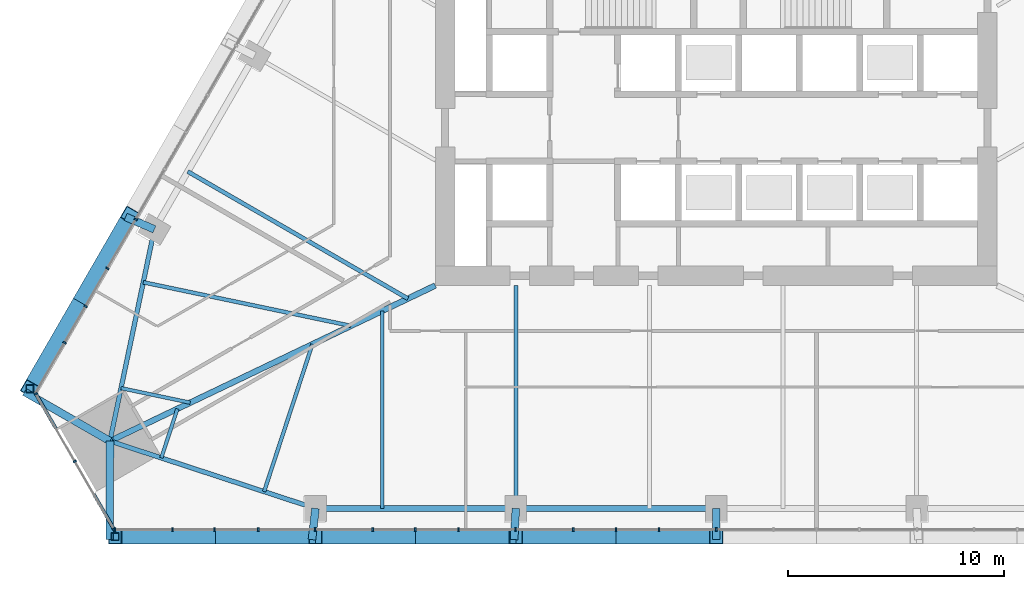
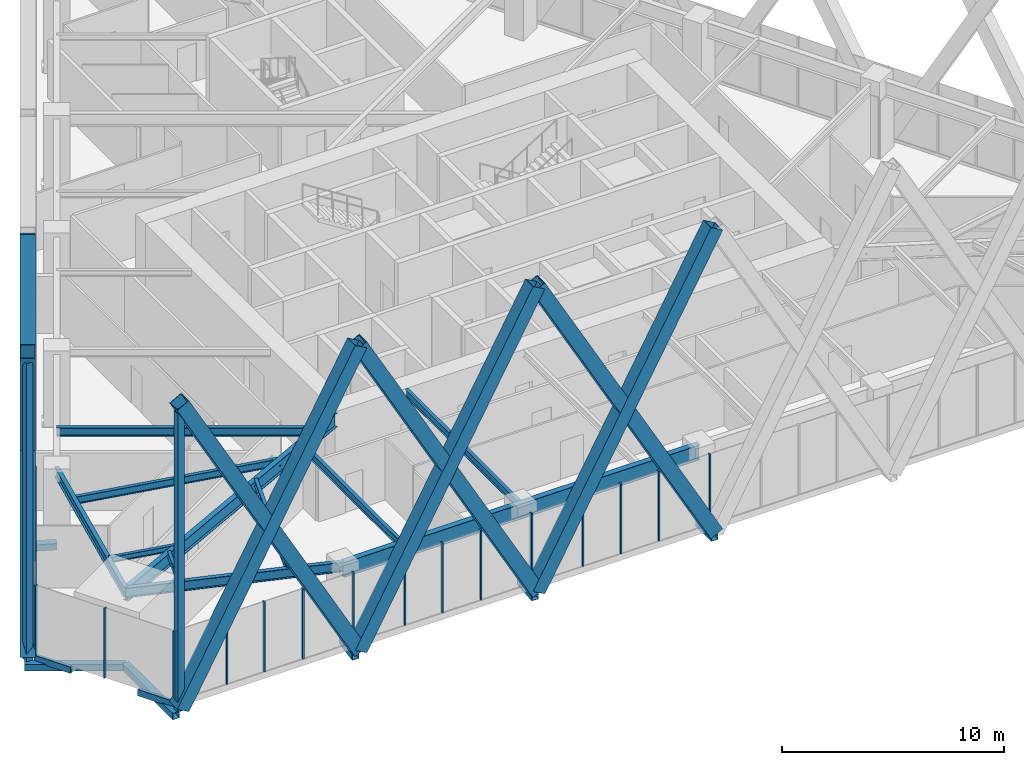
# One storey, part 2 of 19: 38 members, 11 beams, 3 elements without a shape of their own.
"""IFC4 building model written with IfcOpenShell, lengths in metres."""

from ifc_helpers import new_model, si_unit, direction, frame, origin, origin_2d, place, context, subcontext, project, spatial, rectangle, hollow_rectangle, i_section, extrude, material, layer, layer_set, material_profile, profile_set, type_object, element, aggregate, save


model = new_model("IFC4")

# Units and contexts
model_context = context("Model", 3, precision=1e-05, world=origin(), true_north=direction((0.0, 1.0)))
body_context = subcontext(model_context, "Body", "Model", "MODEL_VIEW")
ifc_project = project(units=[si_unit("LENGTHUNIT", "METRE"), si_unit("AREAUNIT", "SQUARE_METRE"), si_unit("VOLUMEUNIT", "CUBIC_METRE"), si_unit("PLANEANGLEUNIT", "RADIAN"), si_unit("MASSUNIT", "GRAM", prefix="KILO")], contexts=[model_context])

# Site, building, storey
site_placement = place(None, origin())
site = spatial("IfcSite", under=ifc_project, at=site_placement, CompositionType="ELEMENT")
building_placement = place(site_placement, origin())
building = spatial("IfcBuilding", under=site, at=building_placement, Name="Firuza Gate Tower and Library", CompositionType="ELEMENT")
storey_placement = place(building_placement, frame((0.0, 0.0, 124.0)))
storey = spatial("IfcBuildingStorey", under=building, at=storey_placement, Name="L28", CompositionType="ELEMENT", Elevation=124.0)

# Members
ifc_material_1 = material(Name="Steel S355", Category="steel")
ifc_material_profile_1 = material_profile(ifc_material_1, hollow_rectangle(XDim=0.699951171875, YDim=0.699951171875, WallThickness=0.030029296875, at=origin_2d()))
ifc_profile_set_1 = profile_set([ifc_material_profile_1], Name="Steel S355")
member_type_1 = type_object("IfcMemberType", Name="BU700x700x30 Lattice brace", PredefinedType="BRACE", material=ifc_profile_set_1)
for number, where, z_axis, x_axis, name in (
    (1, (47.18310546875, 54.383056640625, 0.0), (0.483206156432, 0.0, 0.875506602137), (0.0, 1.0, 0.0), "Lattice brace S 6.1R"),
    (2, (56.455322265625, 54.383056640625, 0.0), (-0.483206156432, 0.0, 0.875506602137), (0.0, -1.0, 0.0), "Lattice brace S 6.1L"),
    (3, (56.455322265625, 54.383056640625, 0.0), (0.483215908659, 0.0, 0.875501219656), (0.0, 1.0, 0.0), "Lattice brace S 6.2R"),
    (4, (65.727783203125, 54.383056640625, 0.0), (-0.483215908659, 0.0, 0.875501219656), (0.0, -1.0, 0.0), "Lattice brace S 6.2L"),
    (5, (65.727783203125, 54.383056640625, 0.0), (0.483206156432, 0.0, 0.875506602137), (0.0, 1.0, 0.0), "Lattice brace S 6.3R"),
    (6, (75.0, 54.383056640625, 0.0), (-0.483206156432, 0.0, 0.875506602137), (0.0, -1.0, 0.0), "Lattice brace S 6.3L"),
    (7, (47.872802734375, 69.24853515625, 0.0), (-0.241596803526, -0.418471771276, 0.875506916689), (0.866032560393, -0.499987604186, 0.0), "Lattice brace W 6.6R"),
    (8, (43.23681640625, 61.218505859375, 0.0), (0.241596803526, 0.418471771276, 0.875506916689), (-0.866032560393, 0.499987604186, 0.0), "Lattice brace W 6.6L"),
):
    element("IfcMember", number, at=place(storey_placement, frame(where, z_axis=z_axis, x_axis=x_axis)), inside=storey, type_object=member_type_1, Name=name, PredefinedType="BRACE", context=body_context, shape_type="SweptSolid", body=[
        extrude(hollow_rectangle(XDim=0.699951171875, YDim=0.699951171875, WallThickness=0.030029296875, at=origin_2d()), origin(), (0.0, 0.0, 1.0), 19.18896484375),
    ])

# Curtain wall, members
ifc_material_2 = material(Name="Aluminium 6063-T6", Category="aluminium")
ifc_layer_1 = layer(ifc_material_2, 0.14990234375)
ifc_layer_set_1 = layer_set([ifc_layer_1], Name="Unitised curtain wall, offices")
curtain_wall_type_1 = type_object("IfcCurtainWallType", Name="Unitised curtain wall, offices", PredefinedType="NOTDEFINED", material=ifc_layer_set_1)
placement = place(storey_placement, origin())
curtain_wall_1 = element("IfcCurtainWall", 9, at=placement, inside=storey, type_object=curtain_wall_type_1, Name="CW1 L28 S face", PredefinedType="NOTDEFINED")
ifc_material_3 = material(Name="Aluminium 6063-T6", Category="aluminium")
ifc_material_profile_2 = material_profile(ifc_material_3, rectangle(XDim=0.14990234375, YDim=0.080078125, at=origin_2d()))
ifc_profile_set_2 = profile_set([ifc_material_profile_2], Name="Aluminium 6063-T6")
member_type_2 = type_object("IfcMemberType", Name="Curtain wall mullion 80x150", PredefinedType="MULLION", material=ifc_profile_set_2)
member_1_placement = place(storey_placement, frame((47.179931640625, 54.7080078125, 0.14990234375), z_axis=(0.0, 0.0, 1.0), x_axis=(0.0, 1.0, 0.0)))
member_1 = element("IfcMember", 10, at=member_1_placement, type_object=member_type_2, Name="Mullion", PredefinedType="MULLION", context=body_context, shape_type="SweptSolid", body=[
    extrude(rectangle(XDim=0.14990234375, YDim=0.080078125, at=origin_2d()), origin(), (0.0, 0.0, 1.0), 3.85009765625),
])
member_2_placement = place(storey_placement, frame((51.783203125, 54.7080078125, 0.14990234375), z_axis=(0.0, 0.0, 1.0), x_axis=(0.0, 1.0, 0.0)))
member_2 = element("IfcMember", 11, at=member_2_placement, type_object=member_type_2, Name="Mullion", PredefinedType="MULLION", context=body_context, shape_type="SweptSolid", body=[
    extrude(rectangle(XDim=0.14990234375, YDim=0.080078125, at=origin_2d()), origin(), (0.0, 0.0, 1.0), 3.85009765625),
])
member_3_placement = place(storey_placement, frame((56.426513671875, 54.7080078125, 0.14990234375), z_axis=(0.0, 0.0, 1.0), x_axis=(0.0, 1.0, 0.0)))
member_3 = element("IfcMember", 12, at=member_3_placement, type_object=member_type_2, Name="Mullion", PredefinedType="MULLION", context=body_context, shape_type="SweptSolid", body=[
    extrude(rectangle(XDim=0.14990234375, YDim=0.080078125, at=origin_2d()), origin(), (0.0, 0.0, 1.0), 3.85009765625),
])
member_4_placement = place(storey_placement, frame((61.06982421875, 54.7080078125, 0.14990234375), z_axis=(0.0, 0.0, 1.0), x_axis=(0.0, 1.0, 0.0)))
member_4 = element("IfcMember", 13, at=member_4_placement, type_object=member_type_2, Name="Mullion", PredefinedType="MULLION", context=body_context, shape_type="SweptSolid", body=[
    extrude(rectangle(XDim=0.14990234375, YDim=0.080078125, at=origin_2d()), origin(), (0.0, 0.0, 1.0), 3.85009765625),
])
member_5_placement = place(storey_placement, frame((65.71337890625, 54.7080078125, 0.14990234375), z_axis=(0.0, 0.0, 1.0), x_axis=(0.0, 1.0, 0.0)))
member_5 = element("IfcMember", 14, at=member_5_placement, type_object=member_type_2, Name="Mullion", PredefinedType="MULLION", context=body_context, shape_type="SweptSolid", body=[
    extrude(rectangle(XDim=0.14990234375, YDim=0.080078125, at=origin_2d()), origin(), (0.0, 0.0, 1.0), 3.85009765625),
])
member_6_placement = place(storey_placement, frame((70.356689453125, 54.7080078125, 0.14990234375), z_axis=(0.0, 0.0, 1.0), x_axis=(0.0, 1.0, 0.0)))
member_6 = element("IfcMember", 15, at=member_6_placement, type_object=member_type_2, Name="Mullion", PredefinedType="MULLION", context=body_context, shape_type="SweptSolid", body=[
    extrude(rectangle(XDim=0.14990234375, YDim=0.080078125, at=origin_2d()), origin(), (0.0, 0.0, 1.0), 3.85009765625),
])
member_7_placement = place(storey_placement, frame((75.0, 54.7080078125, 0.14990234375), z_axis=(0.0, 0.0, 1.0), x_axis=(0.0, 1.0, 0.0)))
member_7 = element("IfcMember", 16, at=member_7_placement, type_object=member_type_2, Name="Mullion", PredefinedType="MULLION", context=body_context, shape_type="SweptSolid", body=[
    extrude(rectangle(XDim=0.14990234375, YDim=0.080078125, at=origin_2d()), origin(), (0.0, 0.0, 1.0), 3.85009765625),
])
member_8_placement = place(storey_placement, frame((49.835693359375, 54.7080078125, 0.14990234375), z_axis=(0.0, 0.0, 1.0), x_axis=(0.0, 1.0, 0.0)))
member_8 = element("IfcMember", 17, at=member_8_placement, type_object=member_type_2, Name="Mullion", PredefinedType="MULLION", context=body_context, shape_type="SweptSolid", body=[
    extrude(rectangle(XDim=0.14990234375, YDim=0.080078125, at=origin_2d()), origin(), (0.0, 0.0, 1.0), 3.85009765625),
])
member_9_placement = place(storey_placement, frame((53.802978515625, 54.7080078125, 0.14990234375), z_axis=(0.0, 0.0, 1.0), x_axis=(0.0, 1.0, 0.0)))
member_9 = element("IfcMember", 18, at=member_9_placement, type_object=member_type_2, Name="Mullion", PredefinedType="MULLION", context=body_context, shape_type="SweptSolid", body=[
    extrude(rectangle(XDim=0.14990234375, YDim=0.080078125, at=origin_2d()), origin(), (0.0, 0.0, 1.0), 3.85009765625),
])
member_10_placement = place(storey_placement, frame((59.10791015625, 54.7080078125, 0.14990234375), z_axis=(0.0, 0.0, 1.0), x_axis=(0.0, 1.0, 0.0)))
member_10 = element("IfcMember", 19, at=member_10_placement, type_object=member_type_2, Name="Mullion", PredefinedType="MULLION", context=body_context, shape_type="SweptSolid", body=[
    extrude(rectangle(XDim=0.14990234375, YDim=0.080078125, at=origin_2d()), origin(), (0.0, 0.0, 1.0), 3.85009765625),
])
member_11_placement = place(storey_placement, frame((63.0751953125, 54.7080078125, 0.14990234375), z_axis=(0.0, 0.0, 1.0), x_axis=(0.0, 1.0, 0.0)))
member_11 = element("IfcMember", 20, at=member_11_placement, type_object=member_type_2, Name="Mullion", PredefinedType="MULLION", context=body_context, shape_type="SweptSolid", body=[
    extrude(rectangle(XDim=0.14990234375, YDim=0.080078125, at=origin_2d()), origin(), (0.0, 0.0, 1.0), 3.85009765625),
])
member_12_placement = place(storey_placement, frame((68.380126953125, 54.7080078125, 0.14990234375), z_axis=(0.0, 0.0, 1.0), x_axis=(0.0, 1.0, 0.0)))
member_12 = element("IfcMember", 21, at=member_12_placement, type_object=member_type_2, Name="Mullion", PredefinedType="MULLION", context=body_context, shape_type="SweptSolid", body=[
    extrude(rectangle(XDim=0.14990234375, YDim=0.080078125, at=origin_2d()), origin(), (0.0, 0.0, 1.0), 3.85009765625),
])
member_13_placement = place(storey_placement, frame((72.34765625, 54.7080078125, 0.14990234375), z_axis=(0.0, 0.0, 1.0), x_axis=(0.0, 1.0, 0.0)))
member_13 = element("IfcMember", 22, at=member_13_placement, type_object=member_type_2, Name="Mullion", PredefinedType="MULLION", context=body_context, shape_type="SweptSolid", body=[
    extrude(rectangle(XDim=0.14990234375, YDim=0.080078125, at=origin_2d()), origin(), (0.0, 0.0, 1.0), 3.85009765625),
])
aggregate(curtain_wall_1, [member_1, member_2, member_3, member_4, member_5, member_6, member_7, member_8, member_9, member_10, member_11, member_12, member_13])

curtain_wall_2 = element("IfcCurtainWall", 23, at=placement, inside=storey, type_object=curtain_wall_type_1, Name="CW1 L28 W face", PredefinedType="NOTDEFINED")
member_14_placement = place(storey_placement, frame((48.139892578125, 69.06103515625, 0.14990234375), z_axis=(0.0, 0.0, 1.0), x_axis=(0.866025403784, -0.5, 0.0)))
member_14 = element("IfcMember", 24, at=member_14_placement, type_object=member_type_2, Name="Mullion", PredefinedType="MULLION", context=body_context, shape_type="SweptSolid", body=[
    extrude(rectangle(XDim=0.14990234375, YDim=0.080078125, at=origin_2d()), origin(), (0.0, 0.0, 1.0), 3.85009765625),
])
member_15_placement = place(storey_placement, frame((45.818115234375, 65.03955078125, 0.14990234375), z_axis=(0.0, 0.0, 1.0), x_axis=(0.866025403784, -0.5, 0.0)))
member_15 = element("IfcMember", 25, at=member_15_placement, type_object=member_type_2, Name="Mullion", PredefinedType="MULLION", context=body_context, shape_type="SweptSolid", body=[
    extrude(rectangle(XDim=0.14990234375, YDim=0.080078125, at=origin_2d()), origin(), (0.0, 0.0, 1.0), 3.85009765625),
])
member_16_placement = place(storey_placement, frame((46.828125, 66.788818359375, 0.14990234375), z_axis=(0.0, 0.0, 1.0), x_axis=(0.866025403784, -0.5, 0.0)))
member_16 = element("IfcMember", 26, at=member_16_placement, type_object=member_type_2, Name="Mullion", PredefinedType="MULLION", context=body_context, shape_type="SweptSolid", body=[
    extrude(rectangle(XDim=0.14990234375, YDim=0.080078125, at=origin_2d()), origin(), (0.0, 0.0, 1.0), 3.85009765625),
])
member_17_placement = place(storey_placement, frame((44.844482421875, 63.35302734375, 0.14990234375), z_axis=(0.0, 0.0, 1.0), x_axis=(0.866025403784, -0.5, 0.0)))
member_17 = element("IfcMember", 27, at=member_17_placement, type_object=member_type_2, Name="Mullion", PredefinedType="MULLION", context=body_context, shape_type="SweptSolid", body=[
    extrude(rectangle(XDim=0.14990234375, YDim=0.080078125, at=origin_2d()), origin(), (0.0, 0.0, 1.0), 3.85009765625),
])
aggregate(curtain_wall_2, [member_14, member_15, member_16, member_17])

ifc_material_4 = material(Name="Aluminium 6063-T6", Category="aluminium")
ifc_layer_2 = layer(ifc_material_4, 0.14990234375)
ifc_layer_set_2 = layer_set([ifc_layer_2], Name="Corner curtain wall, chamfers")
curtain_wall_type_2 = type_object("IfcCurtainWallType", Name="Corner curtain wall, chamfers", PredefinedType="NOTDEFINED", material=ifc_layer_set_2)
curtain_wall_3 = element("IfcCurtainWall", 28, at=placement, inside=storey, type_object=curtain_wall_type_2, Name="CW4 L28 SW corner", PredefinedType="NOTDEFINED")
member_18_placement = place(storey_placement, frame((43.5166015625, 60.983642578125, 0.14990234375), z_axis=(0.0, 0.0, 1.0), x_axis=(0.866025403784, 0.5, 0.0)))
member_18 = element("IfcMember", 29, at=member_18_placement, type_object=member_type_2, Name="Mullion", PredefinedType="MULLION", context=body_context, shape_type="SweptSolid", body=[
    extrude(rectangle(XDim=0.14990234375, YDim=0.080078125, at=origin_2d()), origin(), (0.0, 0.0, 1.0), 3.85009765625),
])
member_19_placement = place(storey_placement, frame((45.318115234375, 57.86328125, 0.14990234375), z_axis=(0.0, 0.0, 1.0), x_axis=(0.866025403784, 0.5, 0.0)))
member_19 = element("IfcMember", 30, at=member_19_placement, type_object=member_type_2, Name="Mullion", PredefinedType="MULLION", context=body_context, shape_type="SweptSolid", body=[
    extrude(rectangle(XDim=0.14990234375, YDim=0.080078125, at=origin_2d()), origin(), (0.0, 0.0, 1.0), 3.85009765625),
])
member_20_placement = place(storey_placement, frame((47.119873046875, 54.74267578125, 0.14990234375), z_axis=(0.0, 0.0, 1.0), x_axis=(0.866025403784, 0.5, 0.0)))
member_20 = element("IfcMember", 31, at=member_20_placement, type_object=member_type_2, Name="Mullion", PredefinedType="MULLION", context=body_context, shape_type="SweptSolid", body=[
    extrude(rectangle(XDim=0.14990234375, YDim=0.080078125, at=origin_2d()), origin(), (0.0, 0.0, 1.0), 3.85009765625),
])
ifc_material_5 = material(Name="Aluminium 6063-T6", Category="aluminium")
ifc_material_profile_3 = material_profile(ifc_material_5, rectangle(XDim=0.14990234375, YDim=0.35009765625, at=origin_2d()))
ifc_profile_set_3 = profile_set([ifc_material_profile_3], Name="Aluminium 6063-T6")
member_type_3 = type_object("IfcMemberType", Name="Curtain wall transom 350x150", PredefinedType="USERDEFINED", material=ifc_profile_set_3)
member_21_placement = place(storey_placement, frame((43.49658203125, 61.018310546875, -0.02490234375), z_axis=(0.499983064336, -0.866035181374, 0.0), x_axis=(0.866035181374, 0.499983064336, 0.0)))
member_21 = element("IfcMember", 32, at=member_21_placement, type_object=member_type_3, Name="Transom", ObjectType="TRANSOM", PredefinedType="USERDEFINED", context=body_context, shape_type="SweptSolid", body=[
    extrude(rectangle(XDim=0.14990234375, YDim=0.35009765625, at=origin_2d()), origin(), (0.0, 0.0, 1.0), 1.89208984375),
])
member_22_placement = place(storey_placement, frame((46.19384765625, 56.3466796875, -0.02490234375), z_axis=(0.499983064336, -0.866035181374, 0.0), x_axis=(0.866035181374, 0.499983064336, 0.0)))
member_22 = element("IfcMember", 33, at=member_22_placement, type_object=member_type_3, Name="Transom", ObjectType="TRANSOM", PredefinedType="USERDEFINED", context=body_context, shape_type="SweptSolid", body=[
    extrude(rectangle(XDim=0.14990234375, YDim=0.35009765625, at=origin_2d()), origin(), (0.0, 0.0, 1.0), 1.89208984375),
])
aggregate(curtain_wall_3, [member_18, member_19, member_20, member_21, member_22])

# Members
ifc_material_6 = material(Name="Steel S355", Category="steel")
ifc_material_profile_4 = material_profile(ifc_material_6, hollow_rectangle(XDim=0.355712890625, YDim=0.355712890625, WallThickness=0.014892578125, at=origin_2d()))
ifc_profile_set_4 = profile_set([ifc_material_profile_4], Name="Steel S355")
member_type_4 = type_object("IfcMemberType", Name="HSS356x356x16 Lattice corner stile", PredefinedType="BRACE", material=ifc_profile_set_4)
for number, where, z_axis, x_axis, name in (
    (34, (47.18310546875, 54.383056640625, -0.139892578125), (0.0, 0.0, 1.0), (1.0, 0.0, 0.0), "Lattice corner stile S 6.A"),
    (35, (43.23681640625, 61.218505859375, -0.139892578125), (0.0, 0.0, 1.0), (1.0, 0.0, 0.0), "Lattice corner stile W 6.B"),
):
    element("IfcMember", number, at=place(storey_placement, frame(where, z_axis=z_axis, x_axis=x_axis)), inside=storey, type_object=member_type_4, Name=name, PredefinedType="BRACE", context=body_context, shape_type="SweptSolid", body=[
        extrude(hollow_rectangle(XDim=0.355712890625, YDim=0.355712890625, WallThickness=0.014892578125, at=origin_2d()), origin(), (0.0, 0.0, 1.0), 16.43994140625),
    ])
ifc_material_7 = material(Name="Steel S355", Category="steel")
ifc_material_profile_5 = material_profile(ifc_material_7, hollow_rectangle(XDim=0.355712890625, YDim=0.355712890625, WallThickness=0.014892578125, at=origin_2d()))
ifc_profile_set_5 = profile_set([ifc_material_profile_5], Name="Steel S355")
member_type_5 = type_object("IfcMemberType", Name="HSS356x356x16 Lattice node tie", PredefinedType="BRACE", material=ifc_profile_set_5)
member_23_placement = place(storey_placement, frame((46.94189453125, 58.80078125, -0.320068359375), z_axis=(-0.001017347942, -0.999999482501, 0.0), x_axis=(0.999999482501, -0.001017347942, 0.0)))
element("IfcMember", 36, at=member_23_placement, inside=storey, type_object=member_type_5, Name="Lattice node tie S L28 113", PredefinedType="BRACE", context=body_context, shape_type="SweptSolid", body=[
    extrude(hollow_rectangle(XDim=0.355712890625, YDim=0.355712890625, WallThickness=0.014892578125, at=origin_2d()), origin(), (0.0, 0.0, 1.0), 4.5595703125),
])
member_24_placement = place(storey_placement, frame((56.455322265625, 55.68310546875, -0.320068359375), z_axis=(-0.112887039074, -0.993607828275, 0.0), x_axis=(0.993607828275, -0.112887039074, 0.0)))
element("IfcMember", 37, at=member_24_placement, inside=storey, type_object=member_type_5, Name="Lattice node tie S L28 114", PredefinedType="BRACE", context=body_context, shape_type="SweptSolid", body=[
    extrude(hollow_rectangle(XDim=0.355712890625, YDim=0.355712890625, WallThickness=0.014892578125, at=origin_2d()), origin(), (0.0, 0.0, 1.0), 1.451171875),
])
member_25_placement = place(storey_placement, frame((65.727783203125, 55.68310546875, -0.320068359375), z_axis=(-0.056799452131, -0.998385607988, 0.0), x_axis=(0.998385607988, -0.056799452131, 0.0)))
element("IfcMember", 38, at=member_25_placement, inside=storey, type_object=member_type_5, Name="Lattice node tie S L28 115", PredefinedType="BRACE", context=body_context, shape_type="SweptSolid", body=[
    extrude(hollow_rectangle(XDim=0.355712890625, YDim=0.355712890625, WallThickness=0.014892578125, at=origin_2d()), origin(), (0.0, 0.0, 1.0), 1.4443359375),
])
member_26_placement = place(storey_placement, frame((75.0, 55.68310546875, -0.320068359375), z_axis=(0.0, -1.0, 0.0), x_axis=(1.0, 0.0, 0.0)))
element("IfcMember", 39, at=member_26_placement, inside=storey, type_object=member_type_5, Name="Lattice node tie S L28 116", PredefinedType="BRACE", context=body_context, shape_type="SweptSolid", body=[
    extrude(hollow_rectangle(XDim=0.355712890625, YDim=0.355712890625, WallThickness=0.014892578125, at=origin_2d()), origin(), (0.0, 0.0, 1.0), 1.44189453125),
])
member_27_placement = place(storey_placement, frame((46.94189453125, 58.80078125, -0.320068359375), z_axis=(-0.866541054848, 0.49910580067, 0.0), x_axis=(-0.49910580067, -0.866541054848, 0.0)))
element("IfcMember", 40, at=member_27_placement, inside=storey, type_object=member_type_5, Name="Lattice node tie W L28 120", PredefinedType="BRACE", context=body_context, shape_type="SweptSolid", body=[
    extrude(hollow_rectangle(XDim=0.355712890625, YDim=0.355712890625, WallThickness=0.014892578125, at=origin_2d()), origin(), (0.0, 0.0, 1.0), 4.559326171875),
])
member_28_placement = place(storey_placement, frame((48.998779296875, 68.598388671875, -0.320068359375), z_axis=(-0.916946992743, 0.399009038119, 0.0), x_axis=(-0.399009038119, -0.916946992743, 0.0)))
element("IfcMember", 41, at=member_28_placement, inside=storey, type_object=member_type_5, Name="Lattice node tie W L28 121", PredefinedType="BRACE", context=body_context, shape_type="SweptSolid", body=[
    extrude(hollow_rectangle(XDim=0.355712890625, YDim=0.355712890625, WallThickness=0.014892578125, at=origin_2d()), origin(), (0.0, 0.0, 1.0), 1.451416015625),
])

# Beams
ifc_material_8 = material(Name="Steel S355", Category="steel")
ifc_material_profile_6 = material_profile(ifc_material_8, i_section(OverallWidth=0.1650390625, OverallDepth=0.31005859375, WebThickness=0.005859375, FlangeThickness=0.009765625, at=origin_2d()))
ifc_profile_set_6 = profile_set([ifc_material_profile_6], Name="Steel S355")
beam_type_1 = type_object("IfcBeamType", Name="W310x39 Floor beam", PredefinedType="JOIST", material=ifc_profile_set_6)
beam_1_placement = place(storey_placement, frame((47.4560546875, 61.250244140625, 3.844970703125), z_axis=(0.978668348175, -0.2054464998, 0.0), x_axis=(0.2054464998, 0.978668348175, 0.0)))
element("IfcBeam", 42, at=beam_1_placement, inside=storey, type_object=beam_type_1, Name="Floor beam L28 s01", PredefinedType="JOIST", context=body_context, shape_type="SweptSolid", body=[
    extrude(i_section(OverallWidth=0.1650390625, OverallDepth=0.31005859375, WebThickness=0.005859375, FlangeThickness=0.009765625, at=origin_2d()), origin(), (0.0, 0.0, 1.0), 3.272705078125),
])
beam_2_placement = place(storey_placement, frame((49.3203125, 58.021240234375, 3.844970703125), z_axis=(0.311446407366, 0.950263718837, 0.0), x_axis=(-0.950263718837, 0.311446407366, 0.0)))
element("IfcBeam", 43, at=beam_2_placement, inside=storey, type_object=beam_type_1, Name="Floor beam L28 s10", PredefinedType="JOIST", context=body_context, shape_type="SweptSolid", body=[
    extrude(i_section(OverallWidth=0.1650390625, OverallDepth=0.31005859375, WebThickness=0.005859375, FlangeThickness=0.009765625, at=origin_2d()), origin(), (0.0, 0.0, 1.0), 2.3916015625),
])
ifc_material_9 = material(Name="Steel S355", Category="steel")
ifc_material_profile_7 = material_profile(ifc_material_9, i_section(OverallWidth=0.1708984375, OverallDepth=0.35498046875, WebThickness=0.007080078125, FlangeThickness=0.01171875, at=origin_2d()))
ifc_profile_set_7 = profile_set([ifc_material_profile_7], Name="Steel S355")
beam_type_2 = type_object("IfcBeamType", Name="W360x51 Floor beam", PredefinedType="JOIST", material=ifc_profile_set_7)
beam_3_placement = place(storey_placement, frame((54.0771484375, 56.46240234375, 3.822509765625), z_axis=(0.311395022273, 0.950280558627, 0.0), x_axis=(-0.950280558627, 0.311395022273, 0.0)))
element("IfcBeam", 44, at=beam_3_placement, inside=storey, type_object=beam_type_2, Name="Floor beam L28 s11", PredefinedType="JOIST", context=body_context, shape_type="SweptSolid", body=[
    extrude(i_section(OverallWidth=0.1708984375, OverallDepth=0.35498046875, WebThickness=0.007080078125, FlangeThickness=0.01171875, at=origin_2d()), origin(), (0.0, 0.0, 1.0), 7.174560546875),
])
ifc_material_10 = material(Name="Steel S355", Category="steel")
ifc_material_profile_8 = material_profile(ifc_material_10, i_section(OverallWidth=0.177978515625, OverallDepth=0.406982421875, WebThickness=0.0078125, FlangeThickness=0.0126953125, at=origin_2d()))
ifc_profile_set_8 = profile_set([ifc_material_profile_8], Name="Steel S355")
beam_type_3 = type_object("IfcBeamType", Name="W410x60 Floor beam", PredefinedType="JOIST", material=ifc_profile_set_8)
beam_4_placement = place(storey_placement, frame((48.484619140625, 66.14892578125, 3.79638671875), z_axis=(0.978672298286, -0.205427682085, 0.0), x_axis=(0.205427682085, 0.978672298286, 0.0)))
element("IfcBeam", 45, at=beam_4_placement, inside=storey, type_object=beam_type_3, Name="Floor beam L28 s00", PredefinedType="JOIST", context=body_context, shape_type="SweptSolid", body=[
    extrude(i_section(OverallWidth=0.177978515625, OverallDepth=0.406982421875, WebThickness=0.0078125, FlangeThickness=0.0126953125, at=origin_2d()), origin(), (0.0, 0.0, 1.0), 9.81787109375),
])
beam_5_placement = place(storey_placement, frame((59.546142578125, 55.68310546875, 3.79638671875), z_axis=(0.0, 1.0, 0.0), x_axis=(-1.0, 0.0, 0.0)))
element("IfcBeam", 46, at=beam_5_placement, inside=storey, type_object=beam_type_3, Name="Floor beam L28 s20", PredefinedType="JOIST", context=body_context, shape_type="SweptSolid", body=[
    extrude(i_section(OverallWidth=0.177978515625, OverallDepth=0.406982421875, WebThickness=0.0078125, FlangeThickness=0.0126953125, at=origin_2d()), origin(), (0.0, 0.0, 1.0), 9.143798828125),
])
beam_6_placement = place(storey_placement, frame((65.727783203125, 55.68310546875, 3.79638671875), z_axis=(0.0, 1.0, 0.0), x_axis=(-1.0, 0.0, 0.0)))
element("IfcBeam", 47, at=beam_6_placement, inside=storey, type_object=beam_type_3, Name="Floor beam L28 s21", PredefinedType="JOIST", context=body_context, shape_type="SweptSolid", body=[
    extrude(i_section(OverallWidth=0.177978515625, OverallDepth=0.406982421875, WebThickness=0.0078125, FlangeThickness=0.0126953125, at=origin_2d()), origin(), (0.0, 0.0, 1.0), 10.31689453125),
])
ifc_material_11 = material(Name="Steel S355", Category="steel")
ifc_material_profile_9 = material_profile(ifc_material_11, i_section(OverallWidth=0.18994140625, OverallDepth=0.45703125, WebThickness=0.009033203125, FlangeThickness=0.014404296875, at=origin_2d()))
ifc_profile_set_9 = profile_set([ifc_material_profile_9], Name="Steel S355")
beam_type_4 = type_object("IfcBeamType", Name="W460x74 Floor beam", PredefinedType="JOIST", material=ifc_profile_set_9)
beam_7_placement = place(storey_placement, frame((50.544189453125, 71.275146484375, 3.771484375), z_axis=(0.866026254694, -0.499998526178, 0.0), x_axis=(0.499998526178, 0.866026254694, 0.0)))
element("IfcBeam", 48, at=beam_7_placement, inside=storey, type_object=beam_type_4, Name="Floor beam L28 s85", PredefinedType="JOIST", context=body_context, shape_type="SweptSolid", body=[
    extrude(i_section(OverallWidth=0.18994140625, OverallDepth=0.45703125, WebThickness=0.009033203125, FlangeThickness=0.014404296875, at=origin_2d()), origin(), (0.0, 0.0, 1.0), 11.76318359375),
])
ifc_material_12 = material(Name="Steel S355", Category="steel")
ifc_material_profile_10 = material_profile(ifc_material_12, i_section(OverallWidth=0.212890625, OverallDepth=0.5390625, WebThickness=0.01171875, FlangeThickness=0.018798828125, at=origin_2d()))
ifc_profile_set_10 = profile_set([ifc_material_profile_10], Name="Steel S355")
beam_type_5 = type_object("IfcBeamType", Name="W530x109 Edge beam", PredefinedType="SPANDREL", material=ifc_profile_set_10)
for number, where, z_axis, x_axis, name in (
    (49, (48.998779296875, 68.598388671875, 3.73046875), (-0.205458608485, -0.978665806187, 0.0), (0.978665806187, -0.205458608485, 0.0), "Edge beam L28 e00"),
    (50, (46.94189453125, 58.80078125, 3.73046875), (0.950273322164, -0.311417104833, 0.0), (0.311417104833, 0.950273322164, 0.0), "Edge beam L28 e10"),
):
    element("IfcBeam", number, at=place(storey_placement, frame(where, z_axis=z_axis, x_axis=x_axis)), inside=storey, type_object=beam_type_5, Name=name, PredefinedType="SPANDREL", context=body_context, shape_type="SweptSolid", body=[
        extrude(i_section(OverallWidth=0.212890625, OverallDepth=0.5390625, WebThickness=0.01171875, FlangeThickness=0.018798828125, at=origin_2d()), origin(), (0.0, 0.0, 1.0), 10.01123046875),
    ])
ifc_material_13 = material(Name="Steel S355", Category="steel")
ifc_material_profile_11 = material_profile(ifc_material_13, i_section(OverallWidth=0.264892578125, OverallDepth=0.7529296875, WebThickness=0.01318359375, FlangeThickness=0.01708984375, at=origin_2d()))
ifc_profile_set_11 = profile_set([ifc_material_profile_11], Name="Steel S355")
beam_type_6 = type_object("IfcBeamType", Name="W760x147 Girder", PredefinedType="BEAM", material=ifc_profile_set_11)
beam_8_placement = place(storey_placement, frame((46.94189453125, 58.80078125, 3.62353515625), z_axis=(0.902192138225, 0.431334378092, 0.0), x_axis=(-0.431334378092, 0.902192138225, 0.0)))
element("IfcBeam", 51, at=beam_8_placement, inside=storey, type_object=beam_type_6, Name="Girder L28 gSW", PredefinedType="BEAM", context=body_context, shape_type="SweptSolid", body=[
    extrude(i_section(OverallWidth=0.264892578125, OverallDepth=0.7529296875, WebThickness=0.01318359375, FlangeThickness=0.01708984375, at=origin_2d()), origin(), (0.0, 0.0, 1.0), 16.690673828125),
])
ifc_material_14 = material(Name="Steel S355", Category="steel")
ifc_material_profile_12 = material_profile(ifc_material_14, i_section(OverallWidth=0.2919921875, OverallDepth=0.8349609375, WebThickness=0.013916015625, FlangeThickness=0.018798828125, at=origin_2d()))
ifc_profile_set_12 = profile_set([ifc_material_profile_12], Name="Steel S355")
beam_type_7 = type_object("IfcBeamType", Name="W840x176 Edge beam", PredefinedType="SPANDREL", material=ifc_profile_set_12)
beam_9_placement = place(storey_placement, frame((56.455322265625, 55.68310546875, 3.58251953125), z_axis=(1.0, 0.0, 0.0), x_axis=(0.0, 1.0, 0.0)))
element("IfcBeam", 52, at=beam_9_placement, inside=storey, type_object=beam_type_7, Name="Edge beam L28 e20", PredefinedType="SPANDREL", context=body_context, shape_type="SweptSolid", body=[
    extrude(i_section(OverallWidth=0.2919921875, OverallDepth=0.8349609375, WebThickness=0.013916015625, FlangeThickness=0.018798828125, at=origin_2d()), origin(), (0.0, 0.0, 1.0), 18.544677734375),
])

save(model, "model.ifc")
